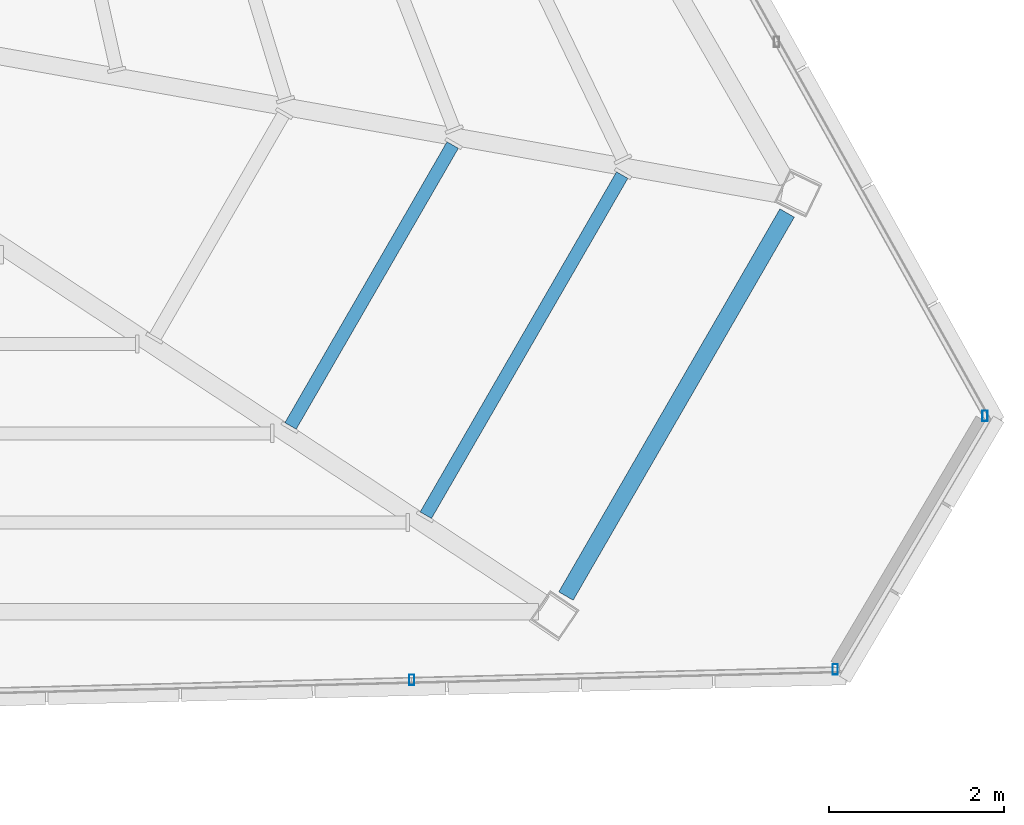
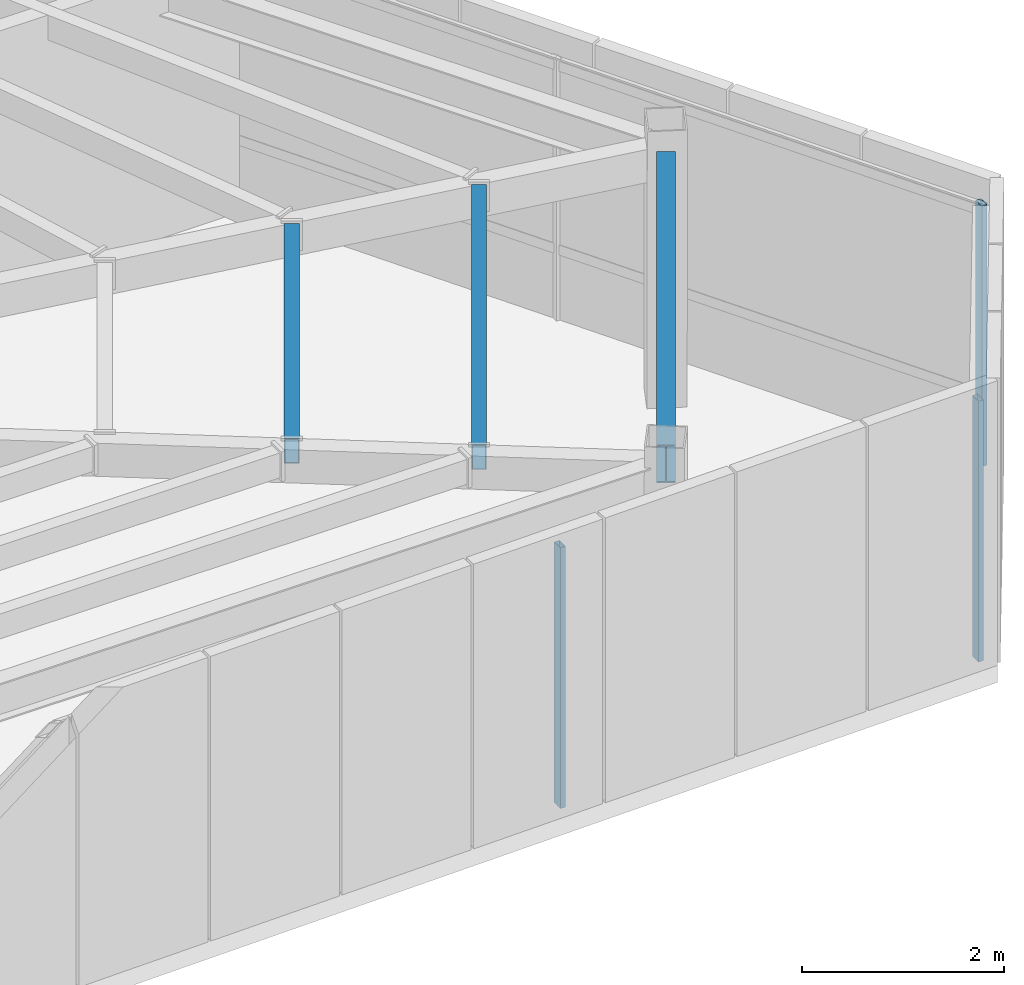
# One storey, part 23 of 48: 3 beams, 3 members, 2 elements without a shape of their own.
"""IFC4 building model written with IfcOpenShell, lengths in metres."""

from ifc_helpers import new_model, si_unit, direction, frame, origin, origin_2d, place, context, subcontext, project, spatial, hollow_rectangle, i_section, extrude, source, transform, mapped, material, material_profile, profile_set, type_object, type_shapes, element, aggregate, save


model = new_model("IFC4")

# Units and contexts
model_context = context("Model", 3, precision=1e-05, world=origin(), true_north=direction((0.0, 1.0)))
body_context = subcontext(model_context, "Body", "Model", "MODEL_VIEW")
ifc_project = project(units=[si_unit("LENGTHUNIT", "METRE"), si_unit("AREAUNIT", "SQUARE_METRE"), si_unit("VOLUMEUNIT", "CUBIC_METRE"), si_unit("PLANEANGLEUNIT", "RADIAN"), si_unit("MASSUNIT", "GRAM", prefix="KILO")], contexts=[model_context])

# Site, building, storey
site_placement = place(None, origin())
site = spatial("IfcSite", under=ifc_project, at=site_placement, CompositionType="ELEMENT")
building_placement = place(site_placement, origin())
building = spatial("IfcBuilding", under=site, at=building_placement, Name="Caelisora Broadcast Tower", CompositionType="ELEMENT")
storey_placement = place(building_placement, frame((0.0, 0.0, 300.0)))
storey = spatial("IfcBuildingStorey", under=building, at=storey_placement, Name="L79", CompositionType="ELEMENT", Elevation=300.0)

# Beams
ifc_material_1 = material(Name="Steel Grade 350 (AS/NZS 3679.1)", Category="steel")
ifc_material_profile_1 = material_profile(ifc_material_1, i_section(OverallWidth=0.19091796875, OverallDepth=0.46044921875, WebThickness=0.010009765625, FlangeThickness=0.01611328125, at=origin_2d()), Name="Steel Grade 350 (AS/NZS 3679.1)")
ifc_profile_set_1 = profile_set([ifc_material_profile_1], Name="Steel Grade 350 (AS/NZS 3679.1)")
beam_type_1 = type_object("IfcBeamType", Name="PG06", PredefinedType="BEAM", material=ifc_profile_set_1)
shared_shape_1 = source(origin(), body_context, "Body", "SweptSolid", [
    extrude(i_section(OverallWidth=0.19091796875, OverallDepth=0.46044921875, WebThickness=0.010009765625, FlangeThickness=0.01611328125, at=origin_2d()), origin(), (0.0, 0.0, 1.0), 5.0615234375),
])
type_shapes(beam_type_1, [shared_shape_1])
beam_1_placement = place(storey_placement, frame((56.442138671875, 10.43017578125, 2.919921875), z_axis=(0.499988276205, 0.866032172415, 0.0), x_axis=(-0.866032172415, 0.499988276205, 0.0)))
element("IfcBeam", 1, at=beam_1_placement, inside=storey, type_object=beam_type_1, Name="L79 beam PG06", PredefinedType="BEAM", context=body_context, shape_type="MappedRepresentation", body=[
    mapped(shared_shape_1, transform((0.0, 0.0, 0.0), scale=1.0)),
])
ifc_material_2 = material(Name="Steel Grade 350 (AS/NZS 1163 C350L0)", Category="steel")
ifc_material_profile_2 = material_profile(ifc_material_2, hollow_rectangle(XDim=0.14990234375, YDim=0.300048828125, WallThickness=0.010009765625, at=origin_2d()), Name="Steel Grade 350 (AS/NZS 1163 C350L0)")
ifc_profile_set_2 = profile_set([ifc_material_profile_2], Name="Steel Grade 350 (AS/NZS 1163 C350L0)")
beam_type_2 = type_object("IfcBeamType", Name="SB05", PredefinedType="JOIST", material=ifc_profile_set_2)
shared_shape_2 = source(origin(), body_context, "Body", "SweptSolid", [
    extrude(hollow_rectangle(XDim=0.14990234375, YDim=0.300048828125, WallThickness=0.010009765625, at=origin_2d()), origin(), (0.0, 0.0, 1.0), 3.712158203125),
])
beam_2_placement = place(storey_placement, frame((53.2900390625, 12.376953125, 3.0), z_axis=(0.499972951856, 0.866041019474, 0.0), x_axis=(-0.866041019474, 0.499972951856, 0.0)))
element("IfcBeam", 2, at=beam_2_placement, inside=storey, type_object=beam_type_2, Name="L79 beam SB05", PredefinedType="JOIST", context=body_context, shape_type="MappedRepresentation", body=[
    mapped(shared_shape_2, transform((0.0, 0.0, 0.0), scale=1.0)),
])
shared_shape_3 = source(origin(), body_context, "Body", "SweptSolid", [
    extrude(hollow_rectangle(XDim=0.14990234375, YDim=0.300048828125, WallThickness=0.010009765625, at=origin_2d()), origin(), (0.0, 0.0, 1.0), 4.494384765625),
])
type_shapes(beam_type_2, [shared_shape_2, shared_shape_3])
beam_3_placement = place(storey_placement, frame((54.83837890625, 11.355712890625, 3.0), z_axis=(0.50003593406, 0.866004656251, 0.0), x_axis=(-0.866004656251, 0.50003593406, 0.0)))
element("IfcBeam", 3, at=beam_3_placement, inside=storey, type_object=beam_type_2, Name="L79 beam SB05", PredefinedType="JOIST", context=body_context, shape_type="MappedRepresentation", body=[
    mapped(shared_shape_3, transform((0.0, 0.0, 0.0), scale=1.0)),
])

# Curtain wall, member
ifc_material_3 = material(Name="Unitised Aluminium Insulated Shadow-Box Spandrel Curtain Wall", Category="aluminium")
curtain_wall_type = type_object("IfcCurtainWallType", Name="CW-SP3", PredefinedType="NOTDEFINED", material=ifc_material_3)
curtain_wall_1_placement = place(storey_placement, origin())
curtain_wall_1 = element("IfcCurtainWall", 4, at=curtain_wall_1_placement, inside=storey, type_object=curtain_wall_type, Name="L79 curtain wall CW-SP3", PredefinedType="NOTDEFINED")
ifc_material_4 = material(Name="Aluminium 6063-T6 Anodised Terracotta Bronze", Category="aluminium")
ifc_material_profile_3 = material_profile(ifc_material_4, hollow_rectangle(XDim=0.06005859375, YDim=0.1201171875, WallThickness=0.0029296875, at=origin_2d()), Name="Aluminium 6063-T6 Anodised Terracotta Bronze")
ifc_profile_set_3 = profile_set([ifc_material_profile_3], Name="Aluminium 6063-T6 Anodised Terracotta Bronze")
member_type = type_object("IfcMemberType", Name="CWM-04", PredefinedType="MULLION", material=ifc_profile_set_3)
shared_shape_4 = source(origin(), body_context, "Body", "SweptSolid", [
    extrude(hollow_rectangle(XDim=0.06005859375, YDim=0.1201171875, WallThickness=0.0029296875, at=origin_2d()), origin(), (0.0, 0.0, 1.0), 3.14990234375),
])
type_shapes(member_type, [shared_shape_4])
member_1_placement = place(storey_placement, frame((61.238525390625, 12.49365234375, 0.0), z_axis=(0.0, 0.0, 1.0), x_axis=(1.0, 0.0, 0.0)))
member_1 = element("IfcMember", 5, at=member_1_placement, type_object=member_type, Name="L79-CW-B03 mullion #3", PredefinedType="MULLION", context=body_context, shape_type="MappedRepresentation", body=[
    mapped(shared_shape_4, transform((0.0, 0.0, 0.0), scale=1.0)),
])
aggregate(curtain_wall_1, [member_1])

# Curtain wall, members
curtain_wall_2_placement = place(storey_placement, origin())
curtain_wall_2 = element("IfcCurtainWall", 6, at=curtain_wall_2_placement, inside=storey, type_object=curtain_wall_type, Name="L79 curtain wall CW-SP3", PredefinedType="NOTDEFINED")
member_2_placement = place(storey_placement, frame((59.52294921875, 9.5908203125, 0.0), z_axis=(0.0, 0.0, 1.0), x_axis=(1.0, 0.0, 0.0)))
member_2 = element("IfcMember", 7, at=member_2_placement, type_object=member_type, Name="L79-CW-B05 mullion #0", PredefinedType="MULLION", context=body_context, shape_type="MappedRepresentation", body=[
    mapped(shared_shape_4, transform((0.0, 0.0, 0.0), scale=1.0)),
])
member_3_placement = place(storey_placement, frame((54.676025390625, 9.470458984375, 0.0), z_axis=(0.0, 0.0, 1.0), x_axis=(1.0, 0.0, 0.0)))
member_3 = element("IfcMember", 8, at=member_3_placement, type_object=member_type, Name="L79-CW-B05 mullion #1", PredefinedType="MULLION", context=body_context, shape_type="MappedRepresentation", body=[
    mapped(shared_shape_4, transform((0.0, 0.0, 0.0), scale=1.0)),
])
aggregate(curtain_wall_2, [member_2, member_3])

save(model, "model.ifc")
